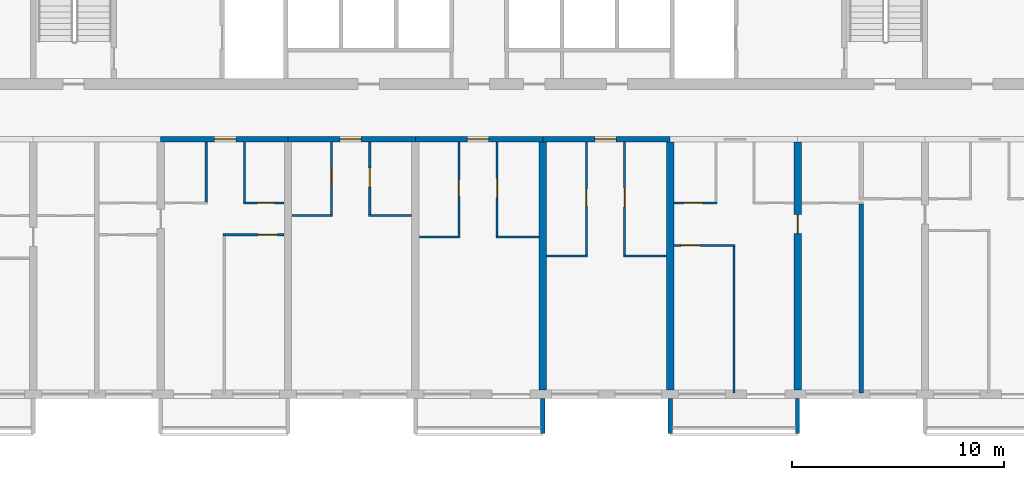
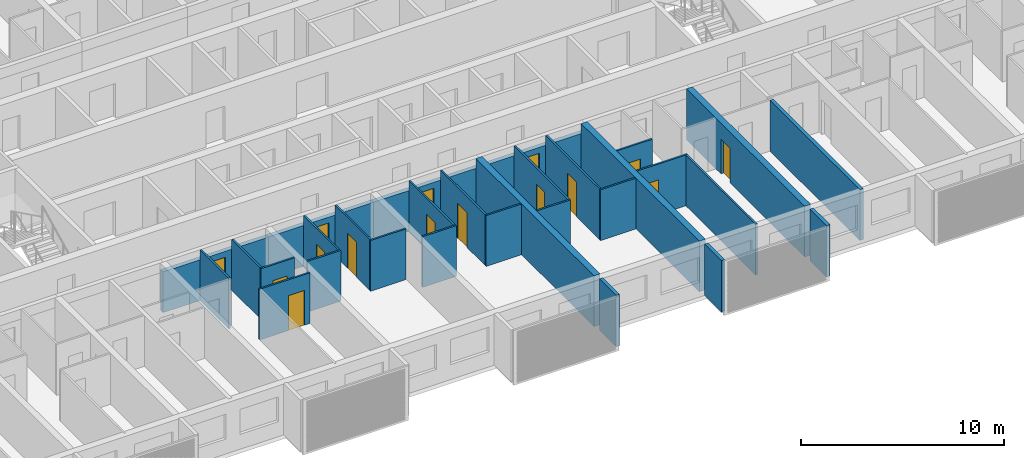
# One storey, part 5 of 25: 30 walls, 15 doors, 15 openings.
"""IFC4 building model written with IfcOpenShell, lengths in metres."""

from ifc_helpers import new_model, si_unit, direction, frame, frame_2d, origin, place, context, subcontext, project, spatial, polyline, rectangle, outline, extrude, source, transform, mapped, material, layer, layer_set, type_object, element, fill, save


model = new_model("IFC4")

# Units and contexts
model_context = context("Model", 3, precision=1e-05, world=origin(), true_north=direction((0.0, 1.0)))
body_context = subcontext(model_context, "Body", "Model", "MODEL_VIEW")
ifc_project = project(units=[si_unit("LENGTHUNIT", "METRE"), si_unit("AREAUNIT", "SQUARE_METRE"), si_unit("VOLUMEUNIT", "CUBIC_METRE"), si_unit("PLANEANGLEUNIT", "RADIAN"), si_unit("MASSUNIT", "GRAM", prefix="KILO")], contexts=[model_context])

# Site, building, storey
site_placement = place(None, origin())
site = spatial("IfcSite", under=ifc_project, at=site_placement, CompositionType="ELEMENT")
building_placement = place(site_placement, origin())
building = spatial("IfcBuilding", under=site, at=building_placement, Name="Poui Terraces", CompositionType="ELEMENT")
storey_placement = place(building_placement, frame((0.0, 0.0, 89.39990234375)))
storey = spatial("IfcBuildingStorey", under=building, at=storey_placement, Name="L24", CompositionType="ELEMENT", Elevation=89.39990234375)

# Wall, opening, door
ifc_material_1 = material(Name="Concrete 65 MPa", Category="concrete")
ifc_layer_1 = layer(ifc_material_1, 0.25)
ifc_layer_set_1 = layer_set([ifc_layer_1], Name="Concrete 65 MPa")
wall_type_1 = type_object("IfcWallType", Name="CORRIDOR WALL 250 65MPa", PredefinedType="SHEAR", material=ifc_layer_set_1)
wall_1_placement = place(storey_placement, frame((36.0, 12.0, 0.0), z_axis=(0.0, 0.0, 1.0), x_axis=(1.0, 0.0, 0.0)))
wall_1 = element("IfcWall", 1, at=wall_1_placement, inside=storey, type_object=wall_type_1, Name="CORRIDOR WALL LINE B BAY 6", PredefinedType="SHEAR", context=body_context, shape_type="SweptSolid", body=[
    extrude(rectangle(XDim=6.0, YDim=0.25, at=frame_2d((3.0, 0.0))), origin(), (0.0, 0.0, 1.0), 2.460205078125),
])
opening_1_placement = place(wall_1_placement, frame((2.550048828125, 0.0, 0.0)))
opening_1 = element("IfcOpeningElement", 2, at=opening_1_placement, cuts=wall_1, Name="Opening FD30S", PredefinedType="OPENING", context=body_context, shape_type="SweptSolid", body=[
    extrude(rectangle(XDim=1.0, YDim=2.10009765625, at=frame_2d((0.5, 1.050048828125))), frame((0.0, 0.135009765625, 0.0), z_axis=(0.0, -1.0, 0.0), x_axis=(1.0, 0.0, 0.0)), (0.0, 0.0, 1.0), 0.27001953125),
])
ifc_material_2 = material(Name="Steel fire door", Category="steel")
door_type_1 = type_object("IfcDoorType", Name="FLAT ENTRANCE DOOR 1000 X 2100", OperationType="NOTDEFINED", PredefinedType="DOOR", material=ifc_material_2)
door_1_placement = place(opening_1_placement, frame((1.0, 0.0, 0.0), z_axis=(0.0, 0.0, 1.0), x_axis=(-1.0, 0.0, 0.0)))
door_1 = element("IfcDoor", 3, at=door_1_placement, inside=storey, type_object=door_type_1, Name="FLAT ENTRANCE DOOR 103", OperationType="SINGLE_SWING_LEFT", OverallHeight=2.10009765625, OverallWidth=1.0, PredefinedType="DOOR", context=body_context, shape_type="SweptSolid", body=[
    extrude(rectangle(XDim=1.0, YDim=2.10009765625, at=frame_2d((0.5, 1.050048828125))), frame((0.0, 0.02490234375, 0.0), z_axis=(0.0, -1.0, 0.0), x_axis=(1.0, 0.0, 0.0)), (0.0, 0.0, 1.0), 0.050048828125),
])
fill(opening_1, door_1)

wall_2_placement = place(storey_placement, frame((42.0, 12.0, 0.0), z_axis=(0.0, 0.0, 1.0), x_axis=(1.0, 0.0, 0.0)))
wall_2 = element("IfcWall", 4, at=wall_2_placement, inside=storey, type_object=wall_type_1, Name="CORRIDOR WALL LINE B BAY 7", PredefinedType="SHEAR", context=body_context, shape_type="SweptSolid", body=[
    extrude(rectangle(XDim=6.0, YDim=0.25, at=frame_2d((3.0, 0.0))), origin(), (0.0, 0.0, 1.0), 2.460205078125),
])
opening_2_placement = place(wall_2_placement, frame((2.449951171875, 0.0, 0.0)))
opening_2 = element("IfcOpeningElement", 5, at=opening_2_placement, cuts=wall_2, Name="Opening FD30S", PredefinedType="OPENING", context=body_context, shape_type="SweptSolid", body=[
    extrude(rectangle(XDim=1.0, YDim=2.10009765625, at=frame_2d((0.5, 1.050048828125))), frame((0.0, 0.135009765625, 0.0), z_axis=(0.0, -1.0, 0.0), x_axis=(1.0, 0.0, 0.0)), (0.0, 0.0, 1.0), 0.27001953125),
])
door_2_placement = place(opening_2_placement, frame((1.0, 0.0, 0.0), z_axis=(0.0, 0.0, 1.0), x_axis=(-1.0, 0.0, 0.0)))
door_2 = element("IfcDoor", 6, at=door_2_placement, inside=storey, type_object=door_type_1, Name="FLAT ENTRANCE DOOR 107", OperationType="SINGLE_SWING_RIGHT", OverallHeight=2.10009765625, OverallWidth=1.0, PredefinedType="DOOR", context=body_context, shape_type="SweptSolid", body=[
    extrude(rectangle(XDim=1.0, YDim=2.10009765625, at=frame_2d((0.5, 1.050048828125))), frame((0.0, 0.02490234375, 0.0), z_axis=(0.0, -1.0, 0.0), x_axis=(1.0, 0.0, 0.0)), (0.0, 0.0, 1.0), 0.050048828125),
])
fill(opening_2, door_2)

wall_3_placement = place(storey_placement, frame((48.0, 12.0, 0.0), z_axis=(0.0, 0.0, 1.0), x_axis=(1.0, 0.0, 0.0)))
wall_3 = element("IfcWall", 7, at=wall_3_placement, inside=storey, type_object=wall_type_1, Name="CORRIDOR WALL LINE B BAY 8", PredefinedType="SHEAR", context=body_context, shape_type="SweptSolid", body=[
    extrude(rectangle(XDim=6.0, YDim=0.25, at=frame_2d((3.0, 0.0))), origin(), (0.0, 0.0, 1.0), 2.460205078125),
])
opening_3_placement = place(wall_3_placement, frame((2.449951171875, 0.0, 0.0)))
opening_3 = element("IfcOpeningElement", 8, at=opening_3_placement, cuts=wall_3, Name="Opening FD30S", PredefinedType="OPENING", context=body_context, shape_type="SweptSolid", body=[
    extrude(rectangle(XDim=1.0, YDim=2.10009765625, at=frame_2d((0.5, 1.050048828125))), frame((0.0, 0.135009765625, 0.0), z_axis=(0.0, -1.0, 0.0), x_axis=(1.0, 0.0, 0.0)), (0.0, 0.0, 1.0), 0.27001953125),
])
door_3_placement = place(opening_3_placement, frame((1.0, 0.0, 0.0), z_axis=(0.0, 0.0, 1.0), x_axis=(-1.0, 0.0, 0.0)))
door_3 = element("IfcDoor", 9, at=door_3_placement, inside=storey, type_object=door_type_1, Name="FLAT ENTRANCE DOOR 110", OperationType="SINGLE_SWING_RIGHT", OverallHeight=2.10009765625, OverallWidth=1.0, PredefinedType="DOOR", context=body_context, shape_type="SweptSolid", body=[
    extrude(rectangle(XDim=1.0, YDim=2.10009765625, at=frame_2d((0.5, 1.050048828125))), frame((0.0, 0.02490234375, 0.0), z_axis=(0.0, -1.0, 0.0), x_axis=(1.0, 0.0, 0.0)), (0.0, 0.0, 1.0), 0.050048828125),
])
fill(opening_3, door_3)

wall_4_placement = place(storey_placement, frame((54.0, 12.0, 0.0), z_axis=(0.0, 0.0, 1.0), x_axis=(1.0, 0.0, 0.0)))
wall_4 = element("IfcWall", 10, at=wall_4_placement, inside=storey, type_object=wall_type_1, Name="CORRIDOR WALL LINE B BAY 9", PredefinedType="SHEAR", context=body_context, shape_type="SweptSolid", body=[
    extrude(rectangle(XDim=6.0, YDim=0.25, at=frame_2d((3.0, 0.0))), origin(), (0.0, 0.0, 1.0), 2.460205078125),
])
opening_4_placement = place(wall_4_placement, frame((2.449951171875, 0.0, 0.0)))
opening_4 = element("IfcOpeningElement", 11, at=opening_4_placement, cuts=wall_4, Name="Opening FD30S", PredefinedType="OPENING", context=body_context, shape_type="SweptSolid", body=[
    extrude(rectangle(XDim=1.0, YDim=2.10009765625, at=frame_2d((0.5, 1.050048828125))), frame((0.0, 0.135009765625, 0.0), z_axis=(0.0, -1.0, 0.0), x_axis=(1.0, 0.0, 0.0)), (0.0, 0.0, 1.0), 0.27001953125),
])
door_4_placement = place(opening_4_placement, frame((1.0, 0.0, 0.0), z_axis=(0.0, 0.0, 1.0), x_axis=(-1.0, 0.0, 0.0)))
door_4 = element("IfcDoor", 12, at=door_4_placement, inside=storey, type_object=door_type_1, Name="FLAT ENTRANCE DOOR 113", OperationType="SINGLE_SWING_RIGHT", OverallHeight=2.10009765625, OverallWidth=1.0, PredefinedType="DOOR", context=body_context, shape_type="SweptSolid", body=[
    extrude(rectangle(XDim=1.0, YDim=2.10009765625, at=frame_2d((0.5, 1.050048828125))), frame((0.0, 0.02490234375, 0.0), z_axis=(0.0, -1.0, 0.0), x_axis=(1.0, 0.0, 0.0)), (0.0, 0.0, 1.0), 0.050048828125),
])
fill(opening_4, door_4)

# Walls
ifc_layer_2 = layer(ifc_material_1, 0.35009765625)
ifc_layer_set_2 = layer_set([ifc_layer_2], Name="Concrete 65 MPa")
wall_type_2 = type_object("IfcWallType", Name="CROSS WALL 350 65MPa", PredefinedType="SHEAR", material=ifc_layer_set_2)
for number, where, z_axis, x_axis, name in (
    (13, (54.0, 0.199951171875, 0.0), (0.0, 0.0, 1.0), (0.0, 1.0, 0.0), "CROSS WALL LINE 10 SOUTH"),
    (14, (60.0, 0.199951171875, 0.0), (0.0, 0.0, 1.0), (0.0, 1.0, 0.0), "CROSS WALL LINE 11 SOUTH"),
):
    element("IfcWall", number, at=place(storey_placement, frame(where, z_axis=z_axis, x_axis=x_axis)), inside=storey, type_object=wall_type_2, Name=name, PredefinedType="SHEAR", context=body_context, shape_type="SweptSolid", body=[
        extrude(rectangle(XDim=11.675048828125, YDim=0.35009765625, at=frame_2d((5.83740234375, 0.0))), origin(), (0.0, 0.0, 1.0), 3.06005859375),
    ])

# Wall, opening, door
wall_5_placement = place(storey_placement, frame((66.0, 0.199951171875, 0.0), z_axis=(0.0, 0.0, 1.0), x_axis=(0.0, 1.0, 0.0)))
wall_5 = element("IfcWall", 15, at=wall_5_placement, inside=storey, type_object=wall_type_2, Name="CROSS WALL LINE 12 SOUTH", PredefinedType="SHEAR", context=body_context, shape_type="SweptSolid", body=[
    extrude(rectangle(XDim=11.675048828125, YDim=0.35009765625, at=frame_2d((5.83740234375, 0.0))), origin(), (0.0, 0.0, 1.0), 3.06005859375),
])
opening_5_placement = place(wall_5_placement, frame((7.35009765625, 0.0, 0.0)))
opening_5 = element("IfcOpeningElement", 16, at=opening_5_placement, cuts=wall_5, Name="Opening D90", PredefinedType="OPENING", context=body_context, shape_type="SweptSolid", body=[
    extrude(rectangle(XDim=0.89990234375, YDim=2.10009765625, at=frame_2d((0.449951171875, 1.050048828125))), frame((0.0, 0.18505859375, 0.0), z_axis=(0.0, -1.0, 0.0), x_axis=(1.0, 0.0, 0.0)), (0.0, 0.0, 1.0), 0.3701171875),
])
ifc_material_3 = material(Name="Solid core timber door", Category="wood")
door_type_2 = type_object("IfcDoorType", Name="INTERNAL DOOR 900 X 2100", OperationType="NOTDEFINED", PredefinedType="DOOR", material=ifc_material_3)
door_5_placement = place(opening_5_placement, frame((0.89990234375, 0.0, 0.0), z_axis=(0.0, 0.0, 1.0), x_axis=(-1.0, 0.0, 0.0)))
door_5 = element("IfcDoor", 17, at=door_5_placement, inside=storey, type_object=door_type_2, Name="INTERNAL DOOR 120", OperationType="SINGLE_SWING_LEFT", OverallHeight=2.10009765625, OverallWidth=0.89990234375, PredefinedType="DOOR", context=body_context, shape_type="SweptSolid", body=[
    extrude(rectangle(XDim=0.89990234375, YDim=2.10009765625, at=frame_2d((0.449951171875, 1.050048828125))), frame((0.0, 0.02490234375, 0.0), z_axis=(0.0, -1.0, 0.0), x_axis=(1.0, 0.0, 0.0)), (0.0, 0.0, 1.0), 0.050048828125),
])
fill(opening_5, door_5)

# Walls
ifc_material_4 = material(Name="Plasterboard partition")
ifc_layer_3 = layer(ifc_material_4, 0.10009765625)
ifc_layer_set_3 = layer_set([ifc_layer_3], Name="Plasterboard partition")
wall_type_3 = type_object("IfcWallType", Name="FLAT PARTITION 100", PredefinedType="PARTITIONING", material=ifc_layer_set_3)
wall_6_placement = place(storey_placement, frame((54.18505859375, 6.5, 0.0), z_axis=(0.0, 0.0, 1.0), x_axis=(1.0, 0.0, 0.0)))
element("IfcWall", 18, at=wall_6_placement, inside=storey, type_object=wall_type_3, Name="FLAT PARTITION 100", PredefinedType="PARTITIONING", context=body_context, shape_type="SweptSolid", body=[
    extrude(rectangle(XDim=1.9150390625, YDim=0.10009765625, at=frame_2d((0.95751953125, 0.0))), origin(), (0.0, 0.0, 1.0), 3.06005859375),
])
wall_7_placement = place(storey_placement, frame((57.800048828125, 6.5, 0.0), z_axis=(0.0, 0.0, 1.0), x_axis=(1.0, 0.0, 0.0)))
element("IfcWall", 19, at=wall_7_placement, inside=storey, type_object=wall_type_3, Name="FLAT PARTITION 100", PredefinedType="PARTITIONING", context=body_context, shape_type="SweptSolid", body=[
    extrude(rectangle(XDim=2.014892578125, YDim=0.10009765625, at=frame_2d((1.00732421875, 0.0))), origin(), (0.0, 0.0, 1.0), 3.06005859375),
])

# Wall, opening, door
wall_8_placement = place(storey_placement, frame((60.18505859375, 7.0, 0.0), z_axis=(0.0, 0.0, 1.0), x_axis=(1.0, 0.0, 0.0)))
wall_8 = element("IfcWall", 20, at=wall_8_placement, inside=storey, type_object=wall_type_3, Name="FLAT PARTITION 100", PredefinedType="PARTITIONING", context=body_context, shape_type="SweptSolid", body=[
    extrude(rectangle(XDim=2.864990234375, YDim=0.10009765625, at=frame_2d((1.4326171875, 0.0))), origin(), (0.0, 0.0, 1.0), 3.06005859375),
])
opening_6_placement = place(wall_8_placement, frame((0.31494140625, 0.0, 0.0)))
opening_6 = element("IfcOpeningElement", 21, at=opening_6_placement, cuts=wall_8, Name="Opening D90", PredefinedType="OPENING", context=body_context, shape_type="SweptSolid", body=[
    extrude(rectangle(XDim=0.89990234375, YDim=2.10009765625, at=frame_2d((0.449951171875, 1.050048828125))), frame((0.0, 0.06005859375, 0.0), z_axis=(0.0, -1.0, 0.0), x_axis=(1.0, 0.0, 0.0)), (0.0, 0.0, 1.0), 0.1201171875),
])
door_6_placement = place(opening_6_placement, origin())
door_6 = element("IfcDoor", 22, at=door_6_placement, inside=storey, type_object=door_type_2, Name="INTERNAL DOOR 116", OperationType="SINGLE_SWING_RIGHT", OverallHeight=2.10009765625, OverallWidth=0.89990234375, PredefinedType="DOOR", context=body_context, shape_type="SweptSolid", body=[
    extrude(rectangle(XDim=0.89990234375, YDim=2.10009765625, at=frame_2d((0.449951171875, 1.050048828125))), frame((0.0, 0.02490234375, 0.0), z_axis=(0.0, -1.0, 0.0), x_axis=(1.0, 0.0, 0.0)), (0.0, 0.0, 1.0), 0.050048828125),
])
fill(opening_6, door_6)

# Walls
wall_9_placement = place(storey_placement, frame((48.18505859375, 7.39990234375, 0.0), z_axis=(0.0, 0.0, 1.0), x_axis=(1.0, 0.0, 0.0)))
element("IfcWall", 23, at=wall_9_placement, inside=storey, type_object=wall_type_3, Name="FLAT PARTITION 100", PredefinedType="PARTITIONING", context=body_context, shape_type="SweptSolid", body=[
    extrude(rectangle(XDim=1.9150390625, YDim=0.10009765625, at=frame_2d((0.95751953125, 0.0))), origin(), (0.0, 0.0, 1.0), 3.06005859375),
])
wall_10_placement = place(storey_placement, frame((51.800048828125, 7.39990234375, 0.0), z_axis=(0.0, 0.0, 1.0), x_axis=(1.0, 0.0, 0.0)))
element("IfcWall", 24, at=wall_10_placement, inside=storey, type_object=wall_type_3, Name="FLAT PARTITION 100", PredefinedType="PARTITIONING", context=body_context, shape_type="SweptSolid", body=[
    extrude(rectangle(XDim=2.014892578125, YDim=0.10009765625, at=frame_2d((1.00732421875, 0.0))), origin(), (0.0, 0.0, 1.0), 3.06005859375),
])

# Wall, opening, door
wall_11_placement = place(storey_placement, frame((38.949951171875, 7.5, 0.0), z_axis=(0.0, 0.0, 1.0), x_axis=(1.0, 0.0, 0.0)))
wall_11 = element("IfcWall", 25, at=wall_11_placement, inside=storey, type_object=wall_type_3, Name="FLAT PARTITION 100", PredefinedType="PARTITIONING", context=body_context, shape_type="SweptSolid", body=[
    extrude(rectangle(XDim=2.864990234375, YDim=0.10009765625, at=frame_2d((1.4326171875, 0.0))), origin(), (0.0, 0.0, 1.0), 3.06005859375),
])
opening_7_placement = place(wall_11_placement, frame((1.64990234375, 0.0, 0.0)))
opening_7 = element("IfcOpeningElement", 26, at=opening_7_placement, cuts=wall_11, Name="Opening D90", PredefinedType="OPENING", context=body_context, shape_type="SweptSolid", body=[
    extrude(rectangle(XDim=0.89990234375, YDim=2.10009765625, at=frame_2d((0.449951171875, 1.050048828125))), frame((0.0, 0.06005859375, 0.0), z_axis=(0.0, -1.0, 0.0), x_axis=(1.0, 0.0, 0.0)), (0.0, 0.0, 1.0), 0.1201171875),
])
door_7_placement = place(opening_7_placement, origin())
door_7 = element("IfcDoor", 27, at=door_7_placement, inside=storey, type_object=door_type_2, Name="INTERNAL DOOR 105", OperationType="SINGLE_SWING_LEFT", OverallHeight=2.10009765625, OverallWidth=0.89990234375, PredefinedType="DOOR", context=body_context, shape_type="SweptSolid", body=[
    extrude(rectangle(XDim=0.89990234375, YDim=2.10009765625, at=frame_2d((0.449951171875, 1.050048828125))), frame((0.0, 0.02490234375, 0.0), z_axis=(0.0, -1.0, 0.0), x_axis=(1.0, 0.0, 0.0)), (0.0, 0.0, 1.0), 0.050048828125),
])
fill(opening_7, door_7)

# Walls
wall_12_placement = place(storey_placement, frame((42.18505859375, 8.39990234375, 0.0), z_axis=(0.0, 0.0, 1.0), x_axis=(1.0, 0.0, 0.0)))
element("IfcWall", 28, at=wall_12_placement, inside=storey, type_object=wall_type_3, Name="FLAT PARTITION 100", PredefinedType="PARTITIONING", context=body_context, shape_type="SweptSolid", body=[
    extrude(rectangle(XDim=1.9150390625, YDim=0.10009765625, at=frame_2d((0.95751953125, 0.0))), origin(), (0.0, 0.0, 1.0), 3.06005859375),
])
wall_13_placement = place(storey_placement, frame((45.800048828125, 8.39990234375, 0.0), z_axis=(0.0, 0.0, 1.0), x_axis=(1.0, 0.0, 0.0)))
element("IfcWall", 29, at=wall_13_placement, inside=storey, type_object=wall_type_3, Name="FLAT PARTITION 100", PredefinedType="PARTITIONING", context=body_context, shape_type="SweptSolid", body=[
    extrude(rectangle(XDim=2.014892578125, YDim=0.10009765625, at=frame_2d((1.00732421875, 0.0))), origin(), (0.0, 0.0, 1.0), 3.06005859375),
])

# Wall, opening, door
wall_14_placement = place(storey_placement, frame((39.89990234375, 9.0, 0.0), z_axis=(0.0, 0.0, 1.0), x_axis=(1.0, 0.0, 0.0)))
wall_14 = element("IfcWall", 30, at=wall_14_placement, inside=storey, type_object=wall_type_3, Name="FLAT PARTITION 100", PredefinedType="PARTITIONING", context=body_context, shape_type="SweptSolid", body=[
    extrude(rectangle(XDim=1.9150390625, YDim=0.10009765625, at=frame_2d((0.95751953125, 0.0))), origin(), (0.0, 0.0, 1.0), 3.06005859375),
])
opening_8_placement = place(wall_14_placement, frame((0.675048828125, 0.0, 0.0)))
opening_8 = element("IfcOpeningElement", 31, at=opening_8_placement, cuts=wall_14, Name="Opening D80", PredefinedType="OPENING", context=body_context, shape_type="SweptSolid", body=[
    extrude(rectangle(XDim=0.800048828125, YDim=2.10009765625, at=frame_2d((0.39990234375, 1.050048828125))), frame((0.0, 0.06005859375, 0.0), z_axis=(0.0, -1.0, 0.0), x_axis=(1.0, 0.0, 0.0)), (0.0, 0.0, 1.0), 0.1201171875),
])
door_type_3 = type_object("IfcDoorType", Name="BATHROOM, LAUNDRY AND STORE DOOR 800 X 2100", OperationType="NOTDEFINED", PredefinedType="DOOR", material=ifc_material_3)
door_8_placement = place(opening_8_placement, origin())
door_8 = element("IfcDoor", 32, at=door_8_placement, inside=storey, type_object=door_type_3, Name="BATHROOM, LAUNDRY AND STORE DOOR 104", OperationType="SINGLE_SWING_RIGHT", OverallHeight=2.10009765625, OverallWidth=0.800048828125, PredefinedType="DOOR", context=body_context, shape_type="SweptSolid", body=[
    extrude(rectangle(XDim=0.800048828125, YDim=2.10009765625, at=frame_2d((0.39990234375, 1.050048828125))), frame((0.0, 0.02490234375, 0.0), z_axis=(0.0, -1.0, 0.0), x_axis=(1.0, 0.0, 0.0)), (0.0, 0.0, 1.0), 0.050048828125),
])
fill(opening_8, door_8)

wall_15_placement = place(storey_placement, frame((60.18505859375, 9.0, 0.0), z_axis=(0.0, 0.0, 1.0), x_axis=(1.0, 0.0, 0.0)))
wall_15 = element("IfcWall", 33, at=wall_15_placement, inside=storey, type_object=wall_type_3, Name="FLAT PARTITION 100", PredefinedType="PARTITIONING", context=body_context, shape_type="SweptSolid", body=[
    extrude(rectangle(XDim=2.014892578125, YDim=0.10009765625, at=frame_2d((1.00732421875, 0.0))), origin(), (0.0, 0.0, 1.0), 3.06005859375),
])
opening_9_placement = place(wall_15_placement, frame((0.43994140625, 0.0, 0.0)))
opening_9 = element("IfcOpeningElement", 34, at=opening_9_placement, cuts=wall_15, Name="Opening D90", PredefinedType="OPENING", context=body_context, shape_type="SweptSolid", body=[
    extrude(rectangle(XDim=0.89990234375, YDim=2.10009765625, at=frame_2d((0.449951171875, 1.050048828125))), frame((0.0, 0.06005859375, 0.0), z_axis=(0.0, -1.0, 0.0), x_axis=(1.0, 0.0, 0.0)), (0.0, 0.0, 1.0), 0.1201171875),
])
door_9_placement = place(opening_9_placement, origin())
door_9 = element("IfcDoor", 35, at=door_9_placement, inside=storey, type_object=door_type_2, Name="INTERNAL DOOR 117", OperationType="SINGLE_SWING_LEFT", OverallHeight=2.10009765625, OverallWidth=0.89990234375, PredefinedType="DOOR", context=body_context, shape_type="SweptSolid", body=[
    extrude(rectangle(XDim=0.89990234375, YDim=2.10009765625, at=frame_2d((0.449951171875, 1.050048828125))), frame((0.0, 0.02490234375, 0.0), z_axis=(0.0, -1.0, 0.0), x_axis=(1.0, 0.0, 0.0)), (0.0, 0.0, 1.0), 0.050048828125),
])
fill(opening_9, door_9)

# Walls
for number, where, z_axis, x_axis, name in (
    (36, (38.14990234375, 9.050048828125, 0.0), (0.0, 0.0, 1.0), (0.0, 1.0, 0.0), "FLAT PARTITION 100"),
    (37, (39.949951171875, 9.050048828125, 0.0), (0.0, 0.0, 1.0), (0.0, 1.0, 0.0), "FLAT PARTITION 100"),
):
    element("IfcWall", number, at=place(storey_placement, frame(where, z_axis=z_axis, x_axis=x_axis)), inside=storey, type_object=wall_type_3, Name=name, PredefinedType="PARTITIONING", context=body_context, shape_type="SweptSolid", body=[
        extrude(rectangle(XDim=2.81494140625, YDim=0.10009765625, at=frame_2d((1.407470703125, 0.0))), origin(), (0.0, 0.0, 1.0), 3.06005859375),
    ])

# Wall, opening, door
wall_16_placement = place(storey_placement, frame((44.050048828125, 8.449951171875, 0.0), z_axis=(0.0, 0.0, 1.0), x_axis=(0.0, 1.0, 0.0)))
wall_16 = element("IfcWall", 38, at=wall_16_placement, inside=storey, type_object=wall_type_3, Name="FLAT PARTITION 100", PredefinedType="PARTITIONING", context=body_context, shape_type="SweptSolid", body=[
    extrude(rectangle(XDim=3.4150390625, YDim=0.10009765625, at=frame_2d((1.70751953125, 0.0))), origin(), (0.0, 0.0, 1.0), 3.06005859375),
])
opening_10_placement = place(wall_16_placement, frame((1.35009765625, 0.0, 0.0)))
opening_10 = element("IfcOpeningElement", 39, at=opening_10_placement, cuts=wall_16, Name="Opening D80", PredefinedType="OPENING", context=body_context, shape_type="SweptSolid", body=[
    extrude(rectangle(XDim=0.800048828125, YDim=2.10009765625, at=frame_2d((0.39990234375, 1.050048828125))), frame((0.0, 0.06005859375, 0.0), z_axis=(0.0, -1.0, 0.0), x_axis=(1.0, 0.0, 0.0)), (0.0, 0.0, 1.0), 0.1201171875),
])
door_10_placement = place(opening_10_placement, origin())
door_10 = element("IfcDoor", 40, at=door_10_placement, inside=storey, type_object=door_type_3, Name="BATHROOM, LAUNDRY AND STORE DOOR 106", OperationType="SINGLE_SWING_LEFT", OverallHeight=2.10009765625, OverallWidth=0.800048828125, PredefinedType="DOOR", context=body_context, shape_type="SweptSolid", body=[
    extrude(rectangle(XDim=0.800048828125, YDim=2.10009765625, at=frame_2d((0.39990234375, 1.050048828125))), frame((0.0, 0.02490234375, 0.0), z_axis=(0.0, -1.0, 0.0), x_axis=(1.0, 0.0, 0.0)), (0.0, 0.0, 1.0), 0.050048828125),
])
fill(opening_10, door_10)

wall_17_placement = place(storey_placement, frame((45.85009765625, 8.449951171875, 0.0), z_axis=(0.0, 0.0, 1.0), x_axis=(0.0, 1.0, 0.0)))
wall_17 = element("IfcWall", 41, at=wall_17_placement, inside=storey, type_object=wall_type_3, Name="FLAT PARTITION 100", PredefinedType="PARTITIONING", context=body_context, shape_type="SweptSolid", body=[
    extrude(rectangle(XDim=3.4150390625, YDim=0.10009765625, at=frame_2d((1.70751953125, 0.0))), origin(), (0.0, 0.0, 1.0), 3.06005859375),
])
opening_11_placement = place(wall_17_placement, frame((1.300048828125, 0.0, 0.0)))
opening_11 = element("IfcOpeningElement", 42, at=opening_11_placement, cuts=wall_17, Name="Opening D90", PredefinedType="OPENING", context=body_context, shape_type="SweptSolid", body=[
    extrude(rectangle(XDim=0.89990234375, YDim=2.10009765625, at=frame_2d((0.449951171875, 1.050048828125))), frame((0.0, 0.06005859375, 0.0), z_axis=(0.0, -1.0, 0.0), x_axis=(1.0, 0.0, 0.0)), (0.0, 0.0, 1.0), 0.1201171875),
])
door_11_placement = place(opening_11_placement, frame((0.89990234375, 0.0, 0.0), z_axis=(0.0, 0.0, 1.0), x_axis=(-1.0, 0.0, 0.0)))
door_11 = element("IfcDoor", 43, at=door_11_placement, inside=storey, type_object=door_type_2, Name="INTERNAL DOOR 108", OperationType="SINGLE_SWING_LEFT", OverallHeight=2.10009765625, OverallWidth=0.89990234375, PredefinedType="DOOR", context=body_context, shape_type="SweptSolid", body=[
    extrude(rectangle(XDim=0.89990234375, YDim=2.10009765625, at=frame_2d((0.449951171875, 1.050048828125))), frame((0.0, 0.02490234375, 0.0), z_axis=(0.0, -1.0, 0.0), x_axis=(1.0, 0.0, 0.0)), (0.0, 0.0, 1.0), 0.050048828125),
])
fill(opening_11, door_11)

wall_18_placement = place(storey_placement, frame((50.050048828125, 7.449951171875, 0.0), z_axis=(0.0, 0.0, 1.0), x_axis=(0.0, 1.0, 0.0)))
wall_18 = element("IfcWall", 44, at=wall_18_placement, inside=storey, type_object=wall_type_3, Name="FLAT PARTITION 100", PredefinedType="PARTITIONING", context=body_context, shape_type="SweptSolid", body=[
    extrude(rectangle(XDim=4.4150390625, YDim=0.10009765625, at=frame_2d((2.20751953125, 0.0))), origin(), (0.0, 0.0, 1.0), 3.06005859375),
])
opening_12_placement = place(wall_18_placement, frame((1.85009765625, 0.0, 0.0)))
opening_12 = element("IfcOpeningElement", 45, at=opening_12_placement, cuts=wall_18, Name="Opening D80", PredefinedType="OPENING", context=body_context, shape_type="SweptSolid", body=[
    extrude(rectangle(XDim=0.800048828125, YDim=2.10009765625, at=frame_2d((0.39990234375, 1.050048828125))), frame((0.0, 0.06005859375, 0.0), z_axis=(0.0, -1.0, 0.0), x_axis=(1.0, 0.0, 0.0)), (0.0, 0.0, 1.0), 0.1201171875),
])
door_12_placement = place(opening_12_placement, origin())
door_12 = element("IfcDoor", 46, at=door_12_placement, inside=storey, type_object=door_type_3, Name="BATHROOM, LAUNDRY AND STORE DOOR 109", OperationType="SINGLE_SWING_RIGHT", OverallHeight=2.10009765625, OverallWidth=0.800048828125, PredefinedType="DOOR", context=body_context, shape_type="SweptSolid", body=[
    extrude(rectangle(XDim=0.800048828125, YDim=2.10009765625, at=frame_2d((0.39990234375, 1.050048828125))), frame((0.0, 0.02490234375, 0.0), z_axis=(0.0, -1.0, 0.0), x_axis=(1.0, 0.0, 0.0)), (0.0, 0.0, 1.0), 0.050048828125),
])
fill(opening_12, door_12)

wall_19_placement = place(storey_placement, frame((51.85009765625, 7.449951171875, 0.0), z_axis=(0.0, 0.0, 1.0), x_axis=(0.0, 1.0, 0.0)))
wall_19 = element("IfcWall", 47, at=wall_19_placement, inside=storey, type_object=wall_type_3, Name="FLAT PARTITION 100", PredefinedType="PARTITIONING", context=body_context, shape_type="SweptSolid", body=[
    extrude(rectangle(XDim=4.4150390625, YDim=0.10009765625, at=frame_2d((2.20751953125, 0.0))), origin(), (0.0, 0.0, 1.0), 3.06005859375),
])
opening_13_placement = place(wall_19_placement, frame((1.800048828125, 0.0, 0.0)))
opening_13 = element("IfcOpeningElement", 48, at=opening_13_placement, cuts=wall_19, Name="Opening D90", PredefinedType="OPENING", context=body_context, shape_type="SweptSolid", body=[
    extrude(rectangle(XDim=0.89990234375, YDim=2.10009765625, at=frame_2d((0.449951171875, 1.050048828125))), frame((0.0, 0.06005859375, 0.0), z_axis=(0.0, -1.0, 0.0), x_axis=(1.0, 0.0, 0.0)), (0.0, 0.0, 1.0), 0.1201171875),
])
door_13_placement = place(opening_13_placement, frame((0.89990234375, 0.0, 0.0), z_axis=(0.0, 0.0, 1.0), x_axis=(-1.0, 0.0, 0.0)))
door_13 = element("IfcDoor", 49, at=door_13_placement, inside=storey, type_object=door_type_2, Name="INTERNAL DOOR 111", OperationType="SINGLE_SWING_RIGHT", OverallHeight=2.10009765625, OverallWidth=0.89990234375, PredefinedType="DOOR", context=body_context, shape_type="SweptSolid", body=[
    extrude(rectangle(XDim=0.89990234375, YDim=2.10009765625, at=frame_2d((0.449951171875, 1.050048828125))), frame((0.0, 0.02490234375, 0.0), z_axis=(0.0, -1.0, 0.0), x_axis=(1.0, 0.0, 0.0)), (0.0, 0.0, 1.0), 0.050048828125),
])
fill(opening_13, door_13)

wall_20_placement = place(storey_placement, frame((56.050048828125, 6.550048828125, 0.0), z_axis=(0.0, 0.0, 1.0), x_axis=(0.0, 1.0, 0.0)))
wall_20 = element("IfcWall", 50, at=wall_20_placement, inside=storey, type_object=wall_type_3, Name="FLAT PARTITION 100", PredefinedType="PARTITIONING", context=body_context, shape_type="SweptSolid", body=[
    extrude(rectangle(XDim=5.31494140625, YDim=0.10009765625, at=frame_2d((2.657470703125, 0.0))), origin(), (0.0, 0.0, 1.0), 3.06005859375),
])
opening_14_placement = place(wall_20_placement, frame((2.300048828125, 0.0, 0.0)))
opening_14 = element("IfcOpeningElement", 51, at=opening_14_placement, cuts=wall_20, Name="Opening D80", PredefinedType="OPENING", context=body_context, shape_type="SweptSolid", body=[
    extrude(rectangle(XDim=0.800048828125, YDim=2.10009765625, at=frame_2d((0.39990234375, 1.050048828125))), frame((0.0, 0.06005859375, 0.0), z_axis=(0.0, -1.0, 0.0), x_axis=(1.0, 0.0, 0.0)), (0.0, 0.0, 1.0), 0.1201171875),
])
door_14_placement = place(opening_14_placement, origin())
door_14 = element("IfcDoor", 52, at=door_14_placement, inside=storey, type_object=door_type_3, Name="BATHROOM, LAUNDRY AND STORE DOOR 112", OperationType="SINGLE_SWING_LEFT", OverallHeight=2.10009765625, OverallWidth=0.800048828125, PredefinedType="DOOR", context=body_context, shape_type="SweptSolid", body=[
    extrude(rectangle(XDim=0.800048828125, YDim=2.10009765625, at=frame_2d((0.39990234375, 1.050048828125))), frame((0.0, 0.02490234375, 0.0), z_axis=(0.0, -1.0, 0.0), x_axis=(1.0, 0.0, 0.0)), (0.0, 0.0, 1.0), 0.050048828125),
])
fill(opening_14, door_14)

wall_21_placement = place(storey_placement, frame((57.85009765625, 6.550048828125, 0.0), z_axis=(0.0, 0.0, 1.0), x_axis=(0.0, 1.0, 0.0)))
wall_21 = element("IfcWall", 53, at=wall_21_placement, inside=storey, type_object=wall_type_3, Name="FLAT PARTITION 100", PredefinedType="PARTITIONING", context=body_context, shape_type="SweptSolid", body=[
    extrude(rectangle(XDim=5.31494140625, YDim=0.10009765625, at=frame_2d((2.657470703125, 0.0))), origin(), (0.0, 0.0, 1.0), 3.06005859375),
])
opening_15_placement = place(wall_21_placement, frame((2.25, 0.0, 0.0)))
opening_15 = element("IfcOpeningElement", 54, at=opening_15_placement, cuts=wall_21, Name="Opening D90", PredefinedType="OPENING", context=body_context, shape_type="SweptSolid", body=[
    extrude(rectangle(XDim=0.89990234375, YDim=2.10009765625, at=frame_2d((0.449951171875, 1.050048828125))), frame((0.0, 0.06005859375, 0.0), z_axis=(0.0, -1.0, 0.0), x_axis=(1.0, 0.0, 0.0)), (0.0, 0.0, 1.0), 0.1201171875),
])
door_15_placement = place(opening_15_placement, frame((0.89990234375, 0.0, 0.0), z_axis=(0.0, 0.0, 1.0), x_axis=(-1.0, 0.0, 0.0)))
door_15 = element("IfcDoor", 55, at=door_15_placement, inside=storey, type_object=door_type_2, Name="INTERNAL DOOR 114", OperationType="SINGLE_SWING_LEFT", OverallHeight=2.10009765625, OverallWidth=0.89990234375, PredefinedType="DOOR", context=body_context, shape_type="SweptSolid", body=[
    extrude(rectangle(XDim=0.89990234375, YDim=2.10009765625, at=frame_2d((0.449951171875, 1.050048828125))), frame((0.0, 0.02490234375, 0.0), z_axis=(0.0, -1.0, 0.0), x_axis=(1.0, 0.0, 0.0)), (0.0, 0.0, 1.0), 0.050048828125),
])
fill(opening_15, door_15)

# Walls
wall_22_placement = place(storey_placement, frame((63.0, 0.06005859375, 0.0), z_axis=(0.0, 0.0, 1.0), x_axis=(0.0, 1.0, 0.0)))
element("IfcWall", 56, at=wall_22_placement, inside=storey, type_object=wall_type_3, Name="FLAT PARTITION 100", PredefinedType="PARTITIONING", context=body_context, shape_type="SweptSolid", body=[
    extrude(rectangle(XDim=6.889892578125, YDim=0.10009765625, at=frame_2d((3.44482421875, 0.0))), origin(), (0.0, 0.0, 1.0), 3.06005859375),
])
ifc_material_5 = material(Name="Fire-rated masonry wall", Category="masonry")
ifc_layer_4 = layer(ifc_material_5, 0.199951171875)
ifc_layer_set_4 = layer_set([ifc_layer_4], Name="Fire-rated masonry wall")
wall_type_4 = type_object("IfcWallType", Name="FLAT PARTY WALL 200", PredefinedType="PARTITIONING", material=ifc_layer_set_4)
wall_23_placement = place(storey_placement, frame((69.0, 0.06005859375, 0.0), z_axis=(0.0, 0.0, 1.0), x_axis=(0.0, 1.0, 0.0)))
element("IfcWall", 57, at=wall_23_placement, inside=storey, type_object=wall_type_4, Name="FLAT PARTY WALL 200", PredefinedType="PARTITIONING", context=body_context, shape_type="SweptSolid", body=[
    extrude(rectangle(XDim=8.889892578125, YDim=0.199951171875, at=frame_2d((4.44482421875, 0.0))), origin(), (0.0, 0.0, 1.0), 3.06005859375),
])
ifc_material_6 = material(Name="Precast concrete 40 MPa", Category="concrete")
ifc_layer_5 = layer(ifc_material_6, 0.199951171875)
ifc_layer_set_5 = layer_set([ifc_layer_5], Name="Precast concrete 40 MPa")
wall_type_5 = type_object("IfcWallType", Name="REAR FIN 200", PredefinedType="STANDARD", material=ifc_layer_set_5)
shared_shape = source(origin(), body_context, "Body", "SweptSolid", [
    extrude(outline(polyline([(0.0, 0.0), (0.2001953125, 0.0), (0.2001953125, 1.650146484375), (0.0, 1.650146484375), (0.0, 0.0)])), origin(), (0.0, 0.0, 1.0), 3.10009765625),
])
for number, where, name in (
    (58, (53.89990234375, -1.85009765625, 0.0), "REAR FIN"),
    (59, (59.89990234375, -1.85009765625, 0.0), "REAR FIN"),
    (60, (65.89990234375, -1.85009765625, 0.0), "REAR FIN"),
):
    element("IfcWall", number, at=place(storey_placement, frame(where)), inside=storey, type_object=wall_type_5, Name=name, PredefinedType="STANDARD", context=body_context, shape_type="MappedRepresentation", body=[
        mapped(shared_shape, transform((0.0, 0.0, 0.0))),
    ])

save(model, "model.ifc")
